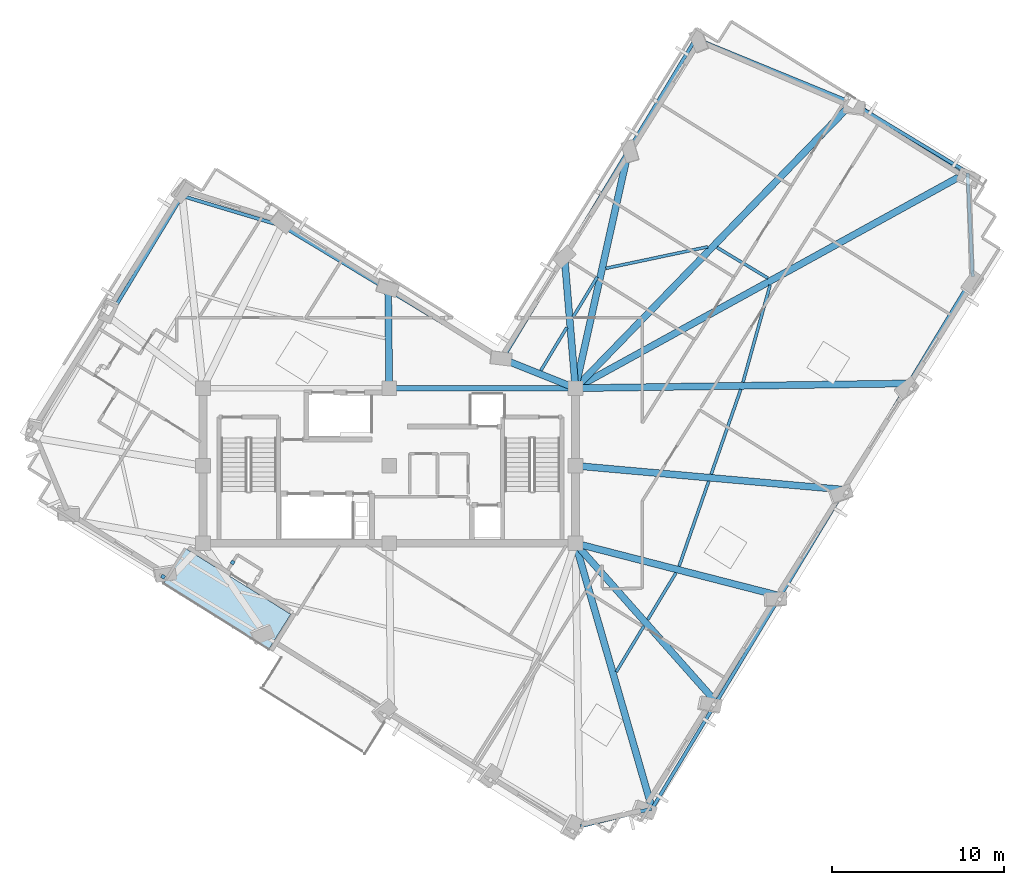
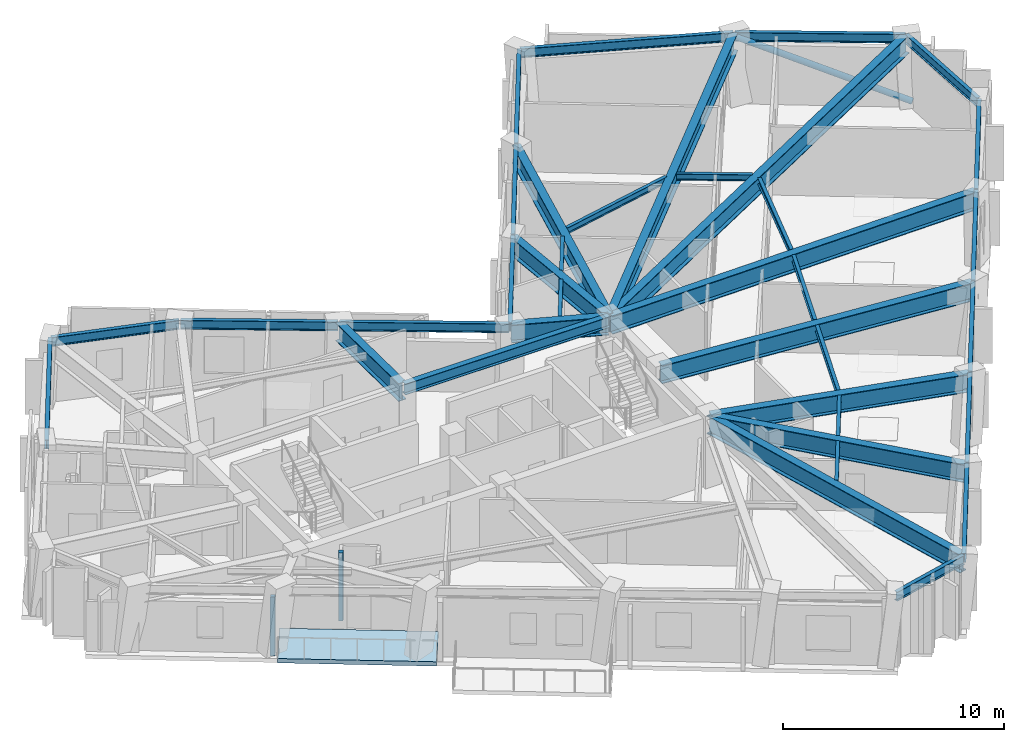
# One storey, part 2 of 12: 37 beams, 2 plates, 1 member, 1 slab.
"""IFC4 building model written with IfcOpenShell, lengths in metres."""

from ifc_helpers import new_model, si_unit, direction, frame, origin, origin_2d, place, context, subcontext, project, spatial, polyline, rectangle, hollow_circle, i_section, outline, extrude, material, layer, layer_set, material_profile, profile_set, type_object, element, save


model = new_model("IFC4")

# Units and contexts
model_context = context("Model", 3, precision=1e-05, world=origin(), true_north=direction((0.0, 1.0)))
body_context = subcontext(model_context, "Body", "Model", "MODEL_VIEW")
ifc_project = project(units=[si_unit("LENGTHUNIT", "METRE"), si_unit("AREAUNIT", "SQUARE_METRE"), si_unit("VOLUMEUNIT", "CUBIC_METRE"), si_unit("PLANEANGLEUNIT", "RADIAN"), si_unit("MASSUNIT", "GRAM", prefix="KILO")], contexts=[model_context])

# Site, building, storey
site_placement = place(None, origin())
site = spatial("IfcSite", under=ifc_project, at=site_placement, CompositionType="ELEMENT")
building_placement = place(site_placement, origin())
building = spatial("IfcBuilding", under=site, at=building_placement, Name="Gaonmaruhae Medical Tower", CompositionType="ELEMENT")
storey_placement = place(building_placement, frame((0.0, 0.0, 272.60009765625)))
storey = spatial("IfcBuildingStorey", under=building, at=storey_placement, Name="L65", CompositionType="ELEMENT", Elevation=272.60009765625)

# Beams
ifc_material_1 = material(Name="Steel SM420", Category="steel")
ifc_material_profile_1 = material_profile(ifc_material_1, i_section(OverallWidth=0.39990234375, OverallDepth=1.0, WebThickness=0.02197265625, FlangeThickness=0.035888671875, at=origin_2d()), Name="BH-1000x400x22x36")
ifc_profile_set_1 = profile_set([ifc_material_profile_1], Name="Steel SM420")
beam_type_1 = type_object("IfcBeamType", Name="BG-02 Refuge Floor Primary Girder (BH-1000x400x22x36)", PredefinedType="BEAM", material=ifc_profile_set_1)
beam_1_placement = place(storey_placement, frame((35.61376953125, 7.751953125, 3.27978515625), z_axis=(0.277762707332, -0.960649716814, 0.0), x_axis=(0.960649716814, 0.277762707332, 0.0)))
element("IfcBeam", 1, at=beam_1_placement, inside=storey, type_object=beam_type_1, Name="L65 Radial Primary Girder S01", PredefinedType="BEAM", context=body_context, shape_type="SweptSolid", body=[
    extrude(i_section(OverallWidth=0.39990234375, OverallDepth=1.0, WebThickness=0.02197265625, FlangeThickness=0.035888671875, at=origin_2d()), origin(), (0.0, 0.0, 1.0), 15.916015625),
])
beam_2_placement = place(storey_placement, frame((35.633056640625, 7.762451171875, 3.27978515625), z_axis=(0.663071717182, -0.748555874917, 0.0), x_axis=(0.748555874917, 0.663071717182, 0.0)))
element("IfcBeam", 2, at=beam_2_placement, inside=storey, type_object=beam_type_1, Name="L65 Radial Primary Girder S02", PredefinedType="BEAM", context=body_context, shape_type="SweptSolid", body=[
    extrude(i_section(OverallWidth=0.39990234375, OverallDepth=1.0, WebThickness=0.02197265625, FlangeThickness=0.035888671875, at=origin_2d()), origin(), (0.0, 0.0, 1.0), 12.2177734375),
])
beam_3_placement = place(storey_placement, frame((35.6484375, 7.78759765625, 3.27978515625), z_axis=(0.968510759128, -0.248971704123, 0.0), x_axis=(0.248971704123, 0.968510759128, 0.0)))
element("IfcBeam", 3, at=beam_3_placement, inside=storey, type_object=beam_type_1, Name="L65 Radial Primary Girder S03", PredefinedType="BEAM", context=body_context, shape_type="SweptSolid", body=[
    extrude(i_section(OverallWidth=0.39990234375, OverallDepth=1.0, WebThickness=0.02197265625, FlangeThickness=0.035888671875, at=origin_2d()), origin(), (0.0, 0.0, 1.0), 12.173095703125),
])
beam_4_placement = place(storey_placement, frame((35.64990234375, 12.295654296875, 3.27978515625), z_axis=(0.996053961969, -0.088749675192, 0.0), x_axis=(0.088749675192, 0.996053961969, 0.0)))
element("IfcBeam", 4, at=beam_4_placement, inside=storey, type_object=beam_type_1, Name="L65 Radial Primary Girder S04", PredefinedType="BEAM", context=body_context, shape_type="SweptSolid", body=[
    extrude(i_section(OverallWidth=0.39990234375, OverallDepth=1.0, WebThickness=0.02197265625, FlangeThickness=0.035888671875, at=origin_2d()), origin(), (0.0, 0.0, 1.0), 15.5673828125),
])
beam_5_placement = place(storey_placement, frame((35.64990234375, 16.80078125, 3.27978515625), z_axis=(0.999899047185, 0.014208991476, 0.0), x_axis=(-0.014208991476, 0.999899047185, 0.0)))
element("IfcBeam", 5, at=beam_5_placement, inside=storey, type_object=beam_type_1, Name="L65 Radial Primary Girder S05", PredefinedType="BEAM", context=body_context, shape_type="SweptSolid", body=[
    extrude(i_section(OverallWidth=0.39990234375, OverallDepth=1.0, WebThickness=0.02197265625, FlangeThickness=0.035888671875, at=origin_2d()), origin(), (0.0, 0.0, 1.0), 19.226806640625),
])
beam_6_placement = place(storey_placement, frame((35.643798828125, 16.82421875, 3.27978515625), z_axis=(0.876010120479, 0.482292721092, 0.0), x_axis=(-0.482292721092, 0.876010120479, 0.0)))
element("IfcBeam", 6, at=beam_6_placement, inside=storey, type_object=beam_type_1, Name="L65 Radial Primary Girder E01", PredefinedType="BEAM", context=body_context, shape_type="SweptSolid", body=[
    extrude(i_section(OverallWidth=0.39990234375, OverallDepth=1.0, WebThickness=0.02197265625, FlangeThickness=0.035888671875, at=origin_2d()), origin(), (0.0, 0.0, 1.0), 25.859619140625),
])
beam_7_placement = place(storey_placement, frame((35.634765625, 16.8359375, 3.27978515625), z_axis=(0.696470063358, 0.717585849112, 0.0), x_axis=(-0.717585849112, 0.696470063358, 0.0)))
element("IfcBeam", 7, at=beam_7_placement, inside=storey, type_object=beam_type_1, Name="L65 Radial Primary Girder E02", PredefinedType="BEAM", context=body_context, shape_type="SweptSolid", body=[
    extrude(i_section(OverallWidth=0.39990234375, OverallDepth=1.0, WebThickness=0.02197265625, FlangeThickness=0.035888671875, at=origin_2d()), origin(), (0.0, 0.0, 1.0), 22.962158203125),
])
beam_8_placement = place(storey_placement, frame((35.61083984375, 16.848876953125, 3.27978515625), z_axis=(0.217782242625, 0.975997384626, 0.0), x_axis=(-0.975997384626, 0.217782242625, 0.0)))
element("IfcBeam", 8, at=beam_8_placement, inside=storey, type_object=beam_type_1, Name="L65 Radial Primary Girder EN01", PredefinedType="BEAM", context=body_context, shape_type="SweptSolid", body=[
    extrude(i_section(OverallWidth=0.39990234375, OverallDepth=1.0, WebThickness=0.02197265625, FlangeThickness=0.035888671875, at=origin_2d()), origin(), (0.0, 0.0, 1.0), 14.0498046875),
])
beam_9_placement = place(storey_placement, frame((35.595947265625, 16.849853515625, 3.27978515625), z_axis=(-0.083093512618, 0.996541754349, 0.0), x_axis=(-0.996541754349, -0.083093512618, 0.0)))
element("IfcBeam", 9, at=beam_9_placement, inside=storey, type_object=beam_type_1, Name="L65 Radial Primary Girder EN02", PredefinedType="BEAM", context=body_context, shape_type="SweptSolid", body=[
    extrude(i_section(OverallWidth=0.39990234375, OverallDepth=1.0, WebThickness=0.02197265625, FlangeThickness=0.035888671875, at=origin_2d()), origin(), (0.0, 0.0, 1.0), 7.571533203125),
])
beam_10_placement = place(storey_placement, frame((35.553466796875, 16.818603515625, 3.27978515625), z_axis=(-0.928223195693, 0.372023788188, 0.0), x_axis=(-0.372023788188, -0.928223195693, 0.0)))
element("IfcBeam", 10, at=beam_10_placement, inside=storey, type_object=beam_type_1, Name="L65 Radial Primary Girder KN01", PredefinedType="BEAM", context=body_context, shape_type="SweptSolid", body=[
    extrude(i_section(OverallWidth=0.39990234375, OverallDepth=1.0, WebThickness=0.02197265625, FlangeThickness=0.035888671875, at=origin_2d()), origin(), (0.0, 0.0, 1.0), 4.453857421875),
])
beam_11_placement = place(storey_placement, frame((24.799560546875, 16.85009765625, 3.27978515625), z_axis=(-0.011165665248, 0.999937662017, 0.0), x_axis=(-0.999937662017, -0.011165665248, 0.0)))
element("IfcBeam", 11, at=beam_11_placement, inside=storey, type_object=beam_type_1, Name="L65 Radial Primary Girder NE01", PredefinedType="BEAM", context=body_context, shape_type="SweptSolid", body=[
    extrude(i_section(OverallWidth=0.39990234375, OverallDepth=1.0, WebThickness=0.02197265625, FlangeThickness=0.035888671875, at=origin_2d()), origin(), (0.0, 0.0, 1.0), 5.597412109375),
])
ifc_material_2 = material(Name="Steel SM355", Category="steel")
ifc_material_profile_2 = material_profile(ifc_material_2, i_section(OverallWidth=0.175048828125, OverallDepth=0.35009765625, WebThickness=0.007080078125, FlangeThickness=0.010986328125, FilletRadius=0.012939453125, at=origin_2d()), Name="H-350x175x7x11")
ifc_profile_set_2 = profile_set([ifc_material_profile_2], Name="Steel SM355")
beam_type_2 = type_object("IfcBeamType", Name="FJ-02 Upper Zone Ward Floor Joist (H-350x175x7x11)", PredefinedType="JOIST", material=ifc_profile_set_2)
beam_12_placement = place(storey_placement, frame((37.968017578125, 0.345458984375, 3.60498046875), z_axis=(0.516551715235, 0.856255992965, 0.0), x_axis=(-0.856255992965, 0.516551715235, 0.0)))
element("IfcBeam", 12, at=beam_12_placement, inside=storey, type_object=beam_type_2, Name="L65 Secondary Floor Joist FJ01", PredefinedType="JOIST", context=body_context, shape_type="SweptSolid", body=[
    extrude(i_section(OverallWidth=0.175048828125, OverallDepth=0.35009765625, WebThickness=0.007080078125, FlangeThickness=0.010986328125, FilletRadius=0.012939453125, at=origin_2d()), origin(), (0.0, 0.0, 1.0), 3.106201171875),
])
beam_13_placement = place(storey_placement, frame((39.795166015625, 3.374267578125, 3.60498046875), z_axis=(0.516521856453, 0.856274005098, 0.0), x_axis=(-0.856274005098, 0.516521856453, 0.0)))
element("IfcBeam", 13, at=beam_13_placement, inside=storey, type_object=beam_type_2, Name="L65 Secondary Floor Joist FJ02", PredefinedType="JOIST", context=body_context, shape_type="SweptSolid", body=[
    extrude(i_section(OverallWidth=0.175048828125, OverallDepth=0.35009765625, WebThickness=0.007080078125, FlangeThickness=0.010986328125, FilletRadius=0.012939453125, at=origin_2d()), origin(), (0.0, 0.0, 1.0), 3.169677734375),
])
beam_14_placement = place(storey_placement, frame((41.611328125, 6.46728515625, 3.60498046875), z_axis=(0.329266637458, 0.944236983737, 0.0), x_axis=(-0.944236983737, 0.329266637458, 0.0)))
element("IfcBeam", 14, at=beam_14_placement, inside=storey, type_object=beam_type_2, Name="L65 Secondary Floor Joist FJ03", PredefinedType="JOIST", context=body_context, shape_type="SweptSolid", body=[
    extrude(i_section(OverallWidth=0.175048828125, OverallDepth=0.35009765625, WebThickness=0.007080078125, FlangeThickness=0.010986328125, FilletRadius=0.012939453125, at=origin_2d()), origin(), (0.0, 0.0, 1.0), 5.228759765625),
])
beam_15_placement = place(storey_placement, frame((43.47265625, 11.80517578125, 3.60498046875), z_axis=(0.329255711677, 0.944240793616, 0.0), x_axis=(-0.944240793616, 0.329255711677, 0.0)))
element("IfcBeam", 15, at=beam_15_placement, inside=storey, type_object=beam_type_2, Name="L65 Secondary Floor Joist FJ04", PredefinedType="JOIST", context=body_context, shape_type="SweptSolid", body=[
    extrude(i_section(OverallWidth=0.175048828125, OverallDepth=0.35009765625, WebThickness=0.007080078125, FlangeThickness=0.010986328125, FilletRadius=0.012939453125, at=origin_2d()), origin(), (0.0, 0.0, 1.0), 5.21630859375),
])
beam_16_placement = place(storey_placement, frame((45.320068359375, 17.14404296875, 3.60498046875), z_axis=(0.268697322722, 0.963224661625, 0.0), x_axis=(-0.963224661625, 0.268697322722, 0.0)))
element("IfcBeam", 16, at=beam_16_placement, inside=storey, type_object=beam_type_2, Name="L65 Secondary Floor Joist FJ05", PredefinedType="JOIST", context=body_context, shape_type="SweptSolid", body=[
    extrude(i_section(OverallWidth=0.175048828125, OverallDepth=0.35009765625, WebThickness=0.007080078125, FlangeThickness=0.010986328125, FilletRadius=0.012939453125, at=origin_2d()), origin(), (0.0, 0.0, 1.0), 5.85595703125),
])
beam_17_placement = place(storey_placement, frame((46.767333984375, 23.1826171875, 3.60498046875), z_axis=(-0.856273430992, 0.516522808187, 0.0), x_axis=(-0.516522808187, -0.856273430992, 0.0)))
element("IfcBeam", 17, at=beam_17_placement, inside=storey, type_object=beam_type_2, Name="L65 Secondary Floor Joist FJ06", PredefinedType="JOIST", context=body_context, shape_type="SweptSolid", body=[
    extrude(i_section(OverallWidth=0.175048828125, OverallDepth=0.35009765625, WebThickness=0.007080078125, FlangeThickness=0.010986328125, FilletRadius=0.012939453125, at=origin_2d()), origin(), (0.0, 0.0, 1.0), 3.451416015625),
])
beam_18_placement = place(storey_placement, frame((43.274658203125, 24.999267578125, 3.60498046875), z_axis=(-0.978457956503, -0.206446185133, 0.0), x_axis=(0.206446185133, -0.978457956503, 0.0)))
element("IfcBeam", 18, at=beam_18_placement, inside=storey, type_object=beam_type_2, Name="L65 Secondary Floor Joist FJ07", PredefinedType="JOIST", context=body_context, shape_type="SweptSolid", body=[
    extrude(i_section(OverallWidth=0.175048828125, OverallDepth=0.35009765625, WebThickness=0.007080078125, FlangeThickness=0.010986328125, FilletRadius=0.012939453125, at=origin_2d()), origin(), (0.0, 0.0, 1.0), 6.04296875),
])
beam_19_placement = place(storey_placement, frame((36.865966796875, 23.249267578125, 3.60498046875), z_axis=(-0.516605980254, -0.856223254278, 0.0), x_axis=(0.856223254278, -0.516605980254, 0.0)))
element("IfcBeam", 19, at=beam_19_placement, inside=storey, type_object=beam_type_2, Name="L65 Secondary Floor Joist FJ08", PredefinedType="JOIST", context=body_context, shape_type="SweptSolid", body=[
    extrude(i_section(OverallWidth=0.175048828125, OverallDepth=0.35009765625, WebThickness=0.007080078125, FlangeThickness=0.010986328125, FilletRadius=0.012939453125, at=origin_2d()), origin(), (0.0, 0.0, 1.0), 2.72021484375),
])
beam_20_placement = place(storey_placement, frame((35.101806640625, 20.3251953125, 3.60498046875), z_axis=(-0.516535999633, -0.856265473485, 0.0), x_axis=(0.856265473485, -0.516535999633, 0.0)))
element("IfcBeam", 20, at=beam_20_placement, inside=storey, type_object=beam_type_2, Name="L65 Secondary Floor Joist FJ09", PredefinedType="JOIST", context=body_context, shape_type="SweptSolid", body=[
    extrude(i_section(OverallWidth=0.175048828125, OverallDepth=0.35009765625, WebThickness=0.007080078125, FlangeThickness=0.010986328125, FilletRadius=0.012939453125, at=origin_2d()), origin(), (0.0, 0.0, 1.0), 2.919189453125),
])

# Member
ifc_material_profile_3 = material_profile(ifc_material_2, hollow_circle(Radius=0.1591796875, WallThickness=0.01025390625, at=origin_2d()), Name="CHS-318.5x10.3")
ifc_profile_set_3 = profile_set([ifc_material_profile_3], Name="Steel SM355")
member_type = type_object("IfcMemberType", Name="PB-03 Perimeter Solid-Bay Tube Brace Upper (CHS-318.5x10.3)", PredefinedType="BRACE", material=ifc_profile_set_3)
member_placement = place(storey_placement, frame((58.412353515625, 28.909423828125, 0.25), z_axis=(-0.774134499864, 0.509155335818, 0.376133779564), x_axis=(-0.549508274094, -0.835488274425, 0.0)))
element("IfcMember", 21, at=member_placement, inside=storey, type_object=member_type, Name="L65 Perimeter Tube Solid-Bay Brace E01-E02", PredefinedType="BRACE", context=body_context, shape_type="SweptSolid", body=[
    extrude(hollow_circle(Radius=0.1591796875, WallThickness=0.01025390625, at=origin_2d()), origin(), (0.0, 0.0, 1.0), 8.7197265625),
])

# Beams
ifc_material_profile_4 = material_profile(ifc_material_1, i_section(OverallWidth=0.300048828125, OverallDepth=0.60009765625, WebThickness=0.011962890625, FlangeThickness=0.02001953125, FilletRadius=0.012939453125, at=origin_2d()), Name="H-600x300x12x20")
ifc_profile_set_4 = profile_set([ifc_material_profile_4], Name="Steel SM420")
beam_type_3 = type_object("IfcBeamType", Name="PG-04 Zone 4 Radial Floor Girder (H-600x300x12x20)", PredefinedType="BEAM", material=ifc_profile_set_4)
beam_21_placement = place(storey_placement, frame((24.85009765625, 16.800048828125, 3.47998046875), z_axis=(1.0, 0.0, 0.0), x_axis=(0.0, 1.0, 0.0)))
element("IfcBeam", 22, at=beam_21_placement, inside=storey, type_object=beam_type_3, Name="L65 Beam BM-L65-CG-N2", PredefinedType="BEAM", context=body_context, shape_type="SweptSolid", body=[
    extrude(i_section(OverallWidth=0.300048828125, OverallDepth=0.60009765625, WebThickness=0.011962890625, FlangeThickness=0.02001953125, FilletRadius=0.012939453125, at=origin_2d()), origin(), (0.0, 0.0, 1.0), 10.699951171875),
])
ifc_material_profile_5 = material_profile(ifc_material_2, i_section(OverallWidth=0.199951171875, OverallDepth=0.5, WebThickness=0.010009765625, FlangeThickness=0.01611328125, FilletRadius=0.012939453125, at=origin_2d()), Name="H-500x200x10x16")
ifc_profile_set_5 = profile_set([ifc_material_profile_5], Name="Steel SM355")
beam_type_4 = type_object("IfcBeamType", Name="SP-02 Upper Perimeter Spandrel Beam (H-500x200x10x16)", PredefinedType="SPANDREL", material=ifc_profile_set_5)
for number, where, z_axis, x_axis, name in (
    (23, (40.069091796875, -7.551513671875, 3.52978515625), (0.516531481316, 0.856268199112, 0.0), (-0.856268199112, 0.516531481316, 0.0), "L65 Perimeter Spandrel Beam S01-S02"),
    (24, (43.788330078125, -1.386474609375, 3.52978515625), (0.516531481316, 0.856268199112, 0.0), (-0.856268199112, 0.516531481316, 0.0), "L65 Perimeter Spandrel Beam S02-S03"),
):
    element("IfcBeam", number, at=place(storey_placement, frame(where, z_axis=z_axis, x_axis=x_axis)), inside=storey, type_object=beam_type_4, Name=name, PredefinedType="SPANDREL", context=body_context, shape_type="SweptSolid", body=[
        extrude(i_section(OverallWidth=0.199951171875, OverallDepth=0.5, WebThickness=0.010009765625, FlangeThickness=0.01611328125, FilletRadius=0.012939453125, at=origin_2d()), origin(), (0.0, 0.0, 1.0), 7.1201171875),
    ])
beam_22_placement = place(storey_placement, frame((47.50732421875, 4.77880859375, 3.52978515625), z_axis=(0.516546647402, 0.856259050205, 0.0), x_axis=(-0.856259050205, 0.516546647402, 0.0)))
element("IfcBeam", 25, at=beam_22_placement, inside=storey, type_object=beam_type_4, Name="L65 Perimeter Spandrel Beam S03-S04", PredefinedType="SPANDREL", context=body_context, shape_type="SweptSolid", body=[
    extrude(i_section(OverallWidth=0.199951171875, OverallDepth=0.5, WebThickness=0.010009765625, FlangeThickness=0.01611328125, FilletRadius=0.012939453125, at=origin_2d()), origin(), (0.0, 0.0, 1.0), 7.119873046875),
])
for number, where, z_axis, x_axis, name in (
    (26, (51.226318359375, 10.94384765625, 3.52978515625), (0.516531481316, 0.856268199112, 0.0), (-0.856268199112, 0.516531481316, 0.0), "L65 Perimeter Spandrel Beam S04-S05"),
    (27, (54.9453125, 17.10888671875, 3.52978515625), (0.516531481316, 0.856268199112, 0.0), (-0.856268199112, 0.516531481316, 0.0), "L65 Perimeter Spandrel Beam S05-S06"),
):
    element("IfcBeam", number, at=place(storey_placement, frame(where, z_axis=z_axis, x_axis=x_axis)), inside=storey, type_object=beam_type_4, Name=name, PredefinedType="SPANDREL", context=body_context, shape_type="SweptSolid", body=[
        extrude(i_section(OverallWidth=0.199951171875, OverallDepth=0.5, WebThickness=0.010009765625, FlangeThickness=0.01611328125, FilletRadius=0.012939453125, at=origin_2d()), origin(), (0.0, 0.0, 1.0), 7.1201171875),
    ])
beam_23_placement = place(storey_placement, frame((58.641845703125, 23.27978515625, 3.52978515625), z_axis=(-0.04973899399, 0.998762250226, 0.0), x_axis=(-0.998762250226, -0.04973899399, 0.0)))
element("IfcBeam", 28, at=beam_23_placement, inside=storey, type_object=beam_type_4, Name="L65 Perimeter Spandrel Beam S06-E01", PredefinedType="SPANDREL", context=body_context, shape_type="SweptSolid", body=[
    extrude(i_section(OverallWidth=0.199951171875, OverallDepth=0.5, WebThickness=0.010009765625, FlangeThickness=0.01611328125, FilletRadius=0.012939453125, at=origin_2d()), origin(), (0.0, 0.0, 1.0), 6.0078125),
])
beam_24_placement = place(storey_placement, frame((58.306640625, 29.3408203125, 3.52978515625), z_axis=(-0.856257117707, 0.516549850814, 0.0), x_axis=(-0.516549850814, -0.856257117707, 0.0)))
element("IfcBeam", 29, at=beam_24_placement, inside=storey, type_object=beam_type_4, Name="L65 Perimeter Spandrel Beam E01-E02", PredefinedType="SPANDREL", context=body_context, shape_type="SweptSolid", body=[
    extrude(i_section(OverallWidth=0.199951171875, OverallDepth=0.5, WebThickness=0.010009765625, FlangeThickness=0.01611328125, FilletRadius=0.012939453125, at=origin_2d()), origin(), (0.0, 0.0, 1.0), 7.719970703125),
])
beam_25_placement = place(storey_placement, frame((51.625, 33.3642578125, 3.52978515625), z_axis=(-0.925140165256, 0.379625703333, 0.0), x_axis=(-0.379625703333, -0.925140165256, 0.0)))
element("IfcBeam", 30, at=beam_25_placement, inside=storey, type_object=beam_type_4, Name="L65 Perimeter Spandrel Beam E02-E03", PredefinedType="SPANDREL", context=body_context, shape_type="SweptSolid", body=[
    extrude(i_section(OverallWidth=0.199951171875, OverallDepth=0.5, WebThickness=0.010009765625, FlangeThickness=0.01611328125, FilletRadius=0.012939453125, at=origin_2d()), origin(), (0.0, 0.0, 1.0), 9.7353515625),
])
beam_26_placement = place(storey_placement, frame((42.560791015625, 37.040771484375, 3.52978515625), z_axis=(-0.516527404906, -0.856270658134, 0.0), x_axis=(0.856270658134, -0.516527404906, 0.0)))
element("IfcBeam", 31, at=beam_26_placement, inside=storey, type_object=beam_type_4, Name="L65 Perimeter Spandrel Beam E03-EN01", PredefinedType="SPANDREL", context=body_context, shape_type="SweptSolid", body=[
    extrude(i_section(OverallWidth=0.199951171875, OverallDepth=0.5, WebThickness=0.010009765625, FlangeThickness=0.01611328125, FilletRadius=0.012939453125, at=origin_2d()), origin(), (0.0, 0.0, 1.0), 7.469970703125),
])
beam_27_placement = place(storey_placement, frame((38.660888671875, 30.576171875, 3.52978515625), z_axis=(-0.516531481316, -0.856268199112, 0.0), x_axis=(0.856268199112, -0.516531481316, 0.0)))
element("IfcBeam", 32, at=beam_27_placement, inside=storey, type_object=beam_type_4, Name="L65 Perimeter Spandrel Beam EN01-EN02", PredefinedType="SPANDREL", context=body_context, shape_type="SweptSolid", body=[
    extrude(i_section(OverallWidth=0.199951171875, OverallDepth=0.5, WebThickness=0.010009765625, FlangeThickness=0.01611328125, FilletRadius=0.012939453125, at=origin_2d()), origin(), (0.0, 0.0, 1.0), 7.1201171875),
])
beam_28_placement = place(storey_placement, frame((34.94189453125, 24.410888671875, 3.52978515625), z_axis=(-0.516532462107, -0.856267607463, 0.0), x_axis=(0.856267607463, -0.516532462107, 0.0)))
element("IfcBeam", 33, at=beam_28_placement, inside=storey, type_object=beam_type_4, Name="L65 Perimeter Spandrel Beam EN02-KN01", PredefinedType="SPANDREL", context=body_context, shape_type="SweptSolid", body=[
    extrude(i_section(OverallWidth=0.199951171875, OverallDepth=0.5, WebThickness=0.010009765625, FlangeThickness=0.01611328125, FilletRadius=0.012939453125, at=origin_2d()), origin(), (0.0, 0.0, 1.0), 6.8701171875),
])
beam_29_placement = place(storey_placement, frame((31.33837890625, 18.514892578125, 3.52978515625), z_axis=(-0.85627723052, 0.51651650941, 0.0), x_axis=(-0.51651650941, -0.85627723052, 0.0)))
element("IfcBeam", 34, at=beam_29_placement, inside=storey, type_object=beam_type_4, Name="L65 Perimeter Spandrel Beam KN01-NE01", PredefinedType="SPANDREL", context=body_context, shape_type="SweptSolid", body=[
    extrude(i_section(OverallWidth=0.199951171875, OverallDepth=0.5, WebThickness=0.010009765625, FlangeThickness=0.01611328125, FilletRadius=0.012939453125, at=origin_2d()), origin(), (0.0, 0.0, 1.0), 7.669921875),
])
beam_30_placement = place(storey_placement, frame((24.702392578125, 22.517822265625, 3.52978515625), z_axis=(-0.856268199112, 0.516531481316, 0.0), x_axis=(-0.516531481316, -0.856268199112, 0.0)))
element("IfcBeam", 35, at=beam_30_placement, inside=storey, type_object=beam_type_4, Name="L65 Perimeter Spandrel Beam NE01-NE02", PredefinedType="SPANDREL", context=body_context, shape_type="SweptSolid", body=[
    extrude(i_section(OverallWidth=0.199951171875, OverallDepth=0.5, WebThickness=0.010009765625, FlangeThickness=0.01611328125, FilletRadius=0.012939453125, at=origin_2d()), origin(), (0.0, 0.0, 1.0), 7.1201171875),
])
beam_31_placement = place(storey_placement, frame((18.533203125, 26.227783203125, 3.52978515625), z_axis=(-0.957725872225, 0.287682383316, 0.0), x_axis=(-0.287682383316, -0.957725872225, 0.0)))
element("IfcBeam", 36, at=beam_31_placement, inside=storey, type_object=beam_type_4, Name="L65 Perimeter Spandrel Beam NE02-N01", PredefinedType="SPANDREL", context=body_context, shape_type="SweptSolid", body=[
    extrude(i_section(OverallWidth=0.199951171875, OverallDepth=0.5, WebThickness=0.010009765625, FlangeThickness=0.01611328125, FilletRadius=0.012939453125, at=origin_2d()), origin(), (0.0, 0.0, 1.0), 5.959228515625),
])
beam_32_placement = place(storey_placement, frame((12.766845703125, 27.91943359375, 3.52978515625), z_axis=(-0.51654146013, -0.856262179456, 0.0), x_axis=(0.856262179456, -0.51654146013, 0.0)))
element("IfcBeam", 37, at=beam_32_placement, inside=storey, type_object=beam_type_4, Name="L65 Perimeter Spandrel Beam N01-N02", PredefinedType="SPANDREL", context=body_context, shape_type="SweptSolid", body=[
    extrude(i_section(OverallWidth=0.199951171875, OverallDepth=0.5, WebThickness=0.010009765625, FlangeThickness=0.01611328125, FilletRadius=0.012939453125, at=origin_2d()), origin(), (0.0, 0.0, 1.0), 8.1201171875),
])
beam_33_placement = place(storey_placement, frame((35.900390625, -8.6123046875, 3.52978515625), z_axis=(0.970723190336, 0.240200932019, 0.0), x_axis=(-0.240200932019, 0.970723190336, 0.0)))
element("IfcBeam", 38, at=beam_33_placement, inside=storey, type_object=beam_type_4, Name="L65 Perimeter Spandrel Beam W06-S01", PredefinedType="SPANDREL", context=body_context, shape_type="SweptSolid", body=[
    extrude(i_section(OverallWidth=0.199951171875, OverallDepth=0.5, WebThickness=0.010009765625, FlangeThickness=0.01611328125, FilletRadius=0.012939453125, at=origin_2d()), origin(), (0.0, 0.0, 1.0), 4.2333984375),
])

# Plates
ifc_material_3 = material(Name="Anodised aluminium 6063-T6", Category="aluminium")
ifc_layer_1 = layer(ifc_material_3, 0.011962890625)
ifc_layer_set_1 = layer_set([ifc_layer_1], Name="Anodised aluminium 6063-T6")
plate_type = type_object("IfcPlateType", Name="PP-01 Interior Partition Corner Stiffener Plate", PredefinedType="SHEET", material=ifc_layer_set_1)
plate_1_placement = place(storey_placement, frame((15.716064453125, 6.693115234375, 0.0), z_axis=(0.0, 0.0, 1.0), x_axis=(-0.530851421286, -0.847464906954, 0.0)))
element("IfcPlate", 39, at=plate_1_placement, inside=storey, type_object=plate_type, Name="L65 Partition Corner Stiffener Plate PLT-L65-JGP-PW042", PredefinedType="SHEET", context=body_context, shape_type="SweptSolid", body=[
    extrude(rectangle(XDim=0.219970703125, YDim=0.219970703125, at=origin_2d()), origin(), (0.0, 0.0, 1.0), 3.780029296875),
])
plate_2_placement = place(storey_placement, frame((11.679931640625, 5.865966796875, -0.000244140625), z_axis=(0.0, 0.0, 1.0), x_axis=(-0.847029161932, 0.531546422091, 0.0)))
element("IfcPlate", 40, at=plate_2_placement, inside=storey, type_object=plate_type, Name="L65 Partition Corner Stiffener Plate PLT-L65-JGP-PW044", PredefinedType="SHEET", context=body_context, shape_type="SweptSolid", body=[
    extrude(rectangle(XDim=0.219970703125, YDim=0.219970703125, at=origin_2d()), origin(), (0.0, 0.0, 1.0), 3.2451171875),
])

# Slab
ifc_material_4 = material(Name="Concrete C40/50", Category="concrete")
ifc_layer_2 = layer(ifc_material_4, 0.239990234375)
ifc_layer_set_2 = layer_set([ifc_layer_2], Name="Concrete C40/50")
slab_type = type_object("IfcSlabType", Name="TS-240 Sky Garden & Recovery Terrace Slab", PredefinedType="FLOOR", material=ifc_layer_set_2)
slab_placement = place(storey_placement, frame((0.0, 0.0, -0.239990234375)))
element("IfcSlab", 41, at=slab_placement, inside=storey, type_object=slab_type, Name="L65 Outdoor Recovery Terrace Slab", PredefinedType="FLOOR", context=body_context, shape_type="SweptSolid", body=[
    extrude(outline(polyline([(17.80908203125, 1.6513671875), (19.082763671875, 3.685546875), (12.980224609375, 7.50634765625), (11.70654296875, 5.47216796875), (17.80908203125, 1.6513671875)])), origin(), (0.0, 0.0, 1.0), 0.239990234375),
])

save(model, "model.ifc")
